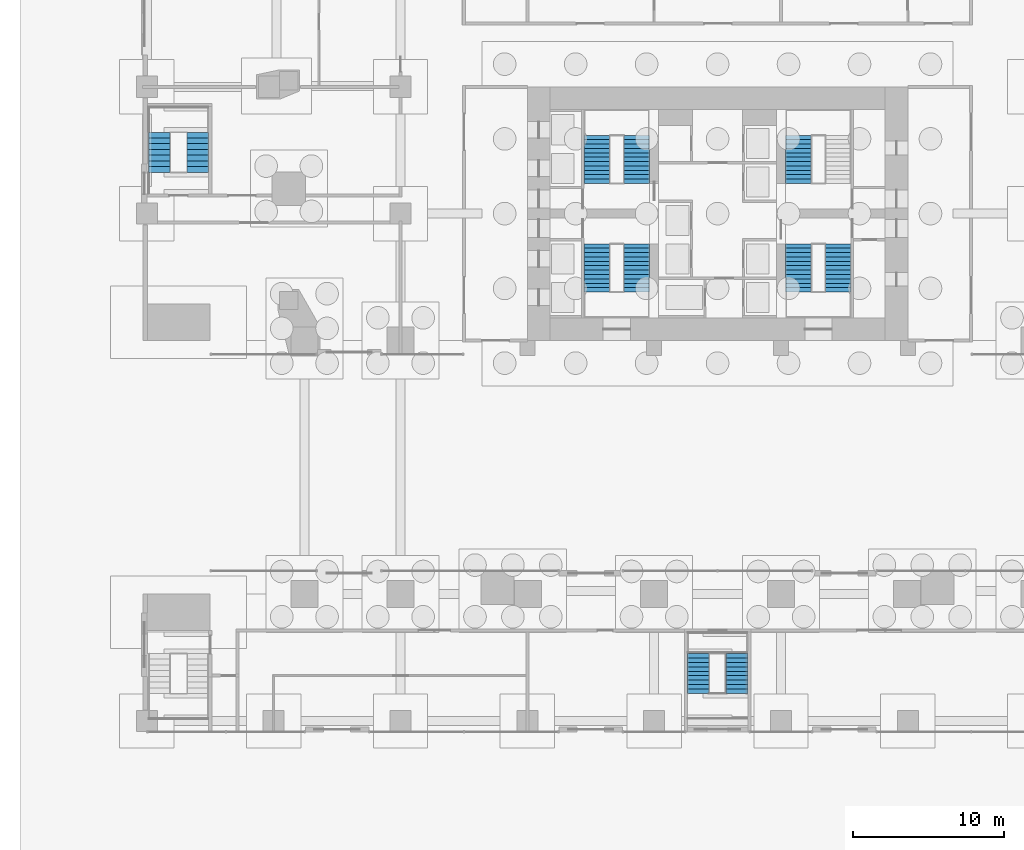
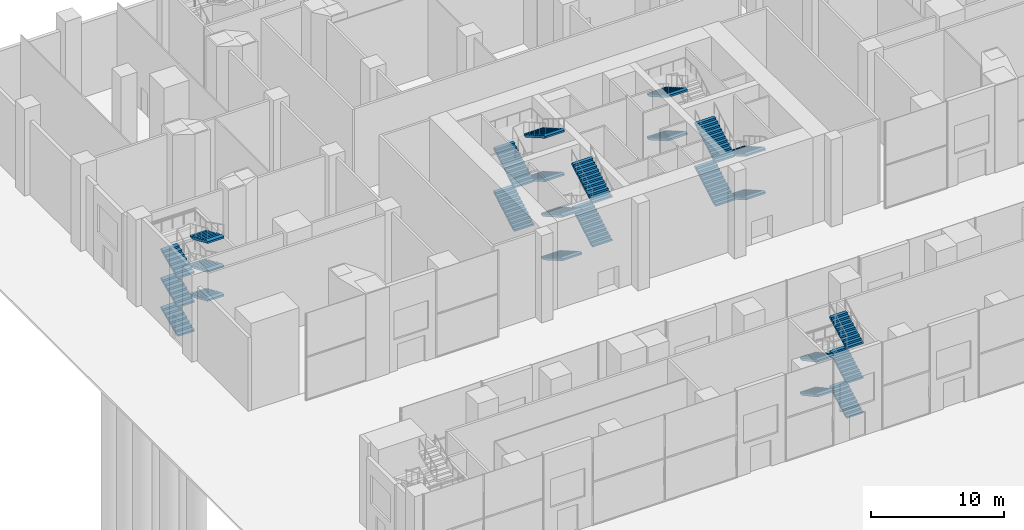
# One storey, part 21 of 31: 25 stair flights, 6 elements without a shape of their own.
"""IFC4 building model written with IfcOpenShell, lengths in metres."""

from ifc_helpers import new_model, si_unit, direction, frame, origin, place, context, subcontext, project, spatial, polyline, outline, extrude, material, type_object, element, aggregate, save


model = new_model("IFC4")

# Units and contexts
model_context = context("Model", 3, precision=1e-05, world=origin(), true_north=direction((0.0, 1.0)))
body_context = subcontext(model_context, "Body", "Model", "MODEL_VIEW")
ifc_project = project(units=[si_unit("LENGTHUNIT", "METRE"), si_unit("AREAUNIT", "SQUARE_METRE"), si_unit("VOLUMEUNIT", "CUBIC_METRE"), si_unit("PLANEANGLEUNIT", "RADIAN"), si_unit("MASSUNIT", "GRAM", prefix="KILO")], contexts=[model_context])

# Site, building, storey
site_placement = place(None, origin())
site = spatial("IfcSite", under=ifc_project, at=site_placement, CompositionType="ELEMENT")
building_placement = place(site_placement, origin())
building = spatial("IfcBuilding", under=site, at=building_placement, Name="Marenta Gate Hotel Tower", CompositionType="ELEMENT")
storey_placement = place(building_placement, origin())
storey = spatial("IfcBuildingStorey", under=building, at=storey_placement, Name="L00", CompositionType="ELEMENT", Elevation=0.0)

# Stair, stair flights
ifc_material_1 = material(Name="Concrete C40", Category="concrete")
stair_type_1 = type_object("IfcStairType", Name="Core exit stair 1700 wide", PredefinedType="HALF_TURN_STAIR", material=ifc_material_1)
stair_1_placement = place(storey_placement, origin())
stair_1 = element("IfcStair", 1, at=stair_1_placement, inside=storey, type_object=stair_type_1, Name="Exit stair 1", PredefinedType="HALF_TURN_STAIR")
ifc_material_2 = material(Name="Concrete C40", Category="concrete")
stair_flight_type_1 = type_object("IfcStairFlightType", Name="Core stair flight 1700 riser 166.7 going 290", PredefinedType="STRAIGHT", material=ifc_material_2)
stair_flight_1_placement = place(storey_placement, frame((-8.0, 6.39990234375, 0.0), z_axis=(0.0, 0.0, 1.0), x_axis=(0.0, -1.0, 0.0)))
stair_flight_1 = element("IfcStairFlight", 2, at=stair_flight_1_placement, type_object=stair_flight_type_1, Name="ST1 flight 1", NumberOfRisers=12, NumberOfTreads=11, PredefinedType="STRAIGHT", RiserHeight=0.166667, TreadLength=0.29, context=body_context, shape_type="SweptSolid", body=[
    extrude(outline(polyline([(0.0, 0.0), (0.0, 0.166748046875), (0.2900390625, 0.166748046875), (0.2900390625, 0.333251953125), (0.580078125, 0.333251953125), (0.580078125, 0.5), (0.8701171875, 0.5), (0.8701171875, 0.666748046875), (1.159912109375, 0.666748046875), (1.159912109375, 0.833251953125), (1.449951171875, 0.833251953125), (1.449951171875, 1.0), (1.739990234375, 1.0), (1.739990234375, 1.166748046875), (2.030029296875, 1.166748046875), (2.030029296875, 1.333251953125), (2.320068359375, 1.333251953125), (2.320068359375, 1.5), (2.610107421875, 1.5), (2.610107421875, 1.666748046875), (2.89990234375, 1.666748046875), (2.89990234375, 1.833251953125), (3.18994140625, 1.833251953125), (3.18994140625, 2.0), (3.18994140625, 1.660400390625), (0.30078125, 0.0), (0.0, 0.0)])), frame((0.0, 0.85009765625, 0.0), z_axis=(0.0, -1.0, 0.0), x_axis=(1.0, 0.0, 0.0)), (0.0, 0.0, 1.0), 1.699951171875),
])
stair_flight_2_placement = place(storey_placement, frame((-5.35009765625, 3.2099609375, 2.0), z_axis=(0.0, 0.0, 1.0), x_axis=(0.0, 1.0, 0.0)))
stair_flight_2 = element("IfcStairFlight", 3, at=stair_flight_2_placement, type_object=stair_flight_type_1, Name="ST1 flight 2", NumberOfRisers=12, NumberOfTreads=11, PredefinedType="STRAIGHT", RiserHeight=0.166667, TreadLength=0.29, context=body_context, shape_type="SweptSolid", body=[
    extrude(outline(polyline([(0.0, 0.0), (0.0, 0.166748046875), (0.2900390625, 0.166748046875), (0.2900390625, 0.333251953125), (0.580078125, 0.333251953125), (0.580078125, 0.5), (0.8701171875, 0.5), (0.8701171875, 0.666748046875), (1.159912109375, 0.666748046875), (1.159912109375, 0.833251953125), (1.449951171875, 0.833251953125), (1.449951171875, 1.0), (1.739990234375, 1.0), (1.739990234375, 1.166748046875), (2.030029296875, 1.166748046875), (2.030029296875, 1.333251953125), (2.320068359375, 1.333251953125), (2.320068359375, 1.5), (2.610107421875, 1.5), (2.610107421875, 1.666748046875), (2.89990234375, 1.666748046875), (2.89990234375, 1.833251953125), (3.18994140625, 1.833251953125), (3.18994140625, 2.0), (3.18994140625, 1.660400390625), (0.30078125, 0.0), (0.0, 0.0)])), frame((0.0, 0.85009765625, 0.0), z_axis=(0.0, -1.0, 0.0), x_axis=(1.0, 0.0, 0.0)), (0.0, 0.0, 1.0), 1.699951171875),
])
stair_flight_3_placement = place(storey_placement, frame((-8.0, 6.39990234375, 4.0), z_axis=(0.0, 0.0, 1.0), x_axis=(0.0, -1.0, 0.0)))
stair_flight_3 = element("IfcStairFlight", 4, at=stair_flight_3_placement, type_object=stair_flight_type_1, Name="ST1 flight 3", NumberOfRisers=12, NumberOfTreads=11, PredefinedType="STRAIGHT", RiserHeight=0.166667, TreadLength=0.29, context=body_context, shape_type="SweptSolid", body=[
    extrude(outline(polyline([(0.0, 0.0), (0.0, 0.166748046875), (0.2900390625, 0.166748046875), (0.2900390625, 0.333251953125), (0.580078125, 0.333251953125), (0.580078125, 0.5), (0.8701171875, 0.5), (0.8701171875, 0.666748046875), (1.159912109375, 0.666748046875), (1.159912109375, 0.833251953125), (1.449951171875, 0.833251953125), (1.449951171875, 1.0), (1.739990234375, 1.0), (1.739990234375, 1.166748046875), (2.030029296875, 1.166748046875), (2.030029296875, 1.333251953125), (2.320068359375, 1.333251953125), (2.320068359375, 1.5), (2.610107421875, 1.5), (2.610107421875, 1.666748046875), (2.89990234375, 1.666748046875), (2.89990234375, 1.833251953125), (3.18994140625, 1.833251953125), (3.18994140625, 2.0), (3.18994140625, 1.660400390625), (0.30078125, 0.0), (0.0, 0.0)])), frame((0.0, 0.85009765625, 0.0), z_axis=(0.0, -1.0, 0.0), x_axis=(1.0, 0.0, 0.0)), (0.0, 0.0, 1.0), 1.699951171875),
])
stair_flight_4_placement = place(storey_placement, frame((-5.35009765625, 3.2099609375, 6.0), z_axis=(0.0, 0.0, 1.0), x_axis=(0.0, 1.0, 0.0)))
stair_flight_4 = element("IfcStairFlight", 5, at=stair_flight_4_placement, type_object=stair_flight_type_1, Name="ST1 flight 4", NumberOfRisers=12, NumberOfTreads=11, PredefinedType="STRAIGHT", RiserHeight=0.166667, TreadLength=0.29, context=body_context, shape_type="SweptSolid", body=[
    extrude(outline(polyline([(0.0, 0.0), (0.0, 0.166748046875), (0.2900390625, 0.166748046875), (0.2900390625, 0.333251953125), (0.580078125, 0.333251953125), (0.580078125, 0.5), (0.8701171875, 0.5), (0.8701171875, 0.666748046875), (1.159912109375, 0.666748046875), (1.159912109375, 0.833251953125), (1.449951171875, 0.833251953125), (1.449951171875, 1.0), (1.739990234375, 1.0), (1.739990234375, 1.166748046875), (2.030029296875, 1.166748046875), (2.030029296875, 1.333251953125), (2.320068359375, 1.333251953125), (2.320068359375, 1.5), (2.610107421875, 1.5), (2.610107421875, 1.666748046875), (2.89990234375, 1.666748046875), (2.89990234375, 1.833251953125), (3.18994140625, 1.833251953125), (3.18994140625, 2.0), (3.18994140625, 1.660400390625), (0.30078125, 0.0), (0.0, 0.0)])), frame((0.0, 0.85009765625, 0.0), z_axis=(0.0, -1.0, 0.0), x_axis=(1.0, 0.0, 0.0)), (0.0, 0.0, 1.0), 1.699951171875),
])
aggregate(stair_1, [stair_flight_1, stair_flight_2, stair_flight_3, stair_flight_4])

stair_2_placement = place(storey_placement, origin())
stair_2 = element("IfcStair", 6, at=stair_2_placement, inside=storey, type_object=stair_type_1, Name="Exit stair 2", PredefinedType="HALF_TURN_STAIR")
stair_flight_5_placement = place(storey_placement, frame((-8.0, 10.39990234375, 0.0), z_axis=(0.0, 0.0, 1.0), x_axis=(0.0, 1.0, 0.0)))
stair_flight_5 = element("IfcStairFlight", 7, at=stair_flight_5_placement, type_object=stair_flight_type_1, Name="ST2 flight 1", NumberOfRisers=12, NumberOfTreads=11, PredefinedType="STRAIGHT", RiserHeight=0.166667, TreadLength=0.29, context=body_context, shape_type="SweptSolid", body=[
    extrude(outline(polyline([(0.0, 0.0), (0.0, 0.166748046875), (0.2900390625, 0.166748046875), (0.2900390625, 0.333251953125), (0.580078125, 0.333251953125), (0.580078125, 0.5), (0.8701171875, 0.5), (0.8701171875, 0.666748046875), (1.159912109375, 0.666748046875), (1.159912109375, 0.833251953125), (1.449951171875, 0.833251953125), (1.449951171875, 1.0), (1.739990234375, 1.0), (1.739990234375, 1.166748046875), (2.030029296875, 1.166748046875), (2.030029296875, 1.333251953125), (2.320068359375, 1.333251953125), (2.320068359375, 1.5), (2.610107421875, 1.5), (2.610107421875, 1.666748046875), (2.89990234375, 1.666748046875), (2.89990234375, 1.833251953125), (3.18994140625, 1.833251953125), (3.18994140625, 2.0), (3.18994140625, 1.660400390625), (0.30078125, 0.0), (0.0, 0.0)])), frame((0.0, 0.85009765625, 0.0), z_axis=(0.0, -1.0, 0.0), x_axis=(1.0, 0.0, 0.0)), (0.0, 0.0, 1.0), 1.699951171875),
])
stair_flight_6_placement = place(storey_placement, frame((-5.35009765625, 13.590087890625, 2.0), z_axis=(0.0, 0.0, 1.0), x_axis=(0.0, -1.0, 0.0)))
stair_flight_6 = element("IfcStairFlight", 8, at=stair_flight_6_placement, type_object=stair_flight_type_1, Name="ST2 flight 2", NumberOfRisers=12, NumberOfTreads=11, PredefinedType="STRAIGHT", RiserHeight=0.166667, TreadLength=0.29, context=body_context, shape_type="SweptSolid", body=[
    extrude(outline(polyline([(0.0, 0.0), (0.0, 0.166748046875), (0.2900390625, 0.166748046875), (0.2900390625, 0.333251953125), (0.580078125, 0.333251953125), (0.580078125, 0.5), (0.8701171875, 0.5), (0.8701171875, 0.666748046875), (1.159912109375, 0.666748046875), (1.159912109375, 0.833251953125), (1.449951171875, 0.833251953125), (1.449951171875, 1.0), (1.739990234375, 1.0), (1.739990234375, 1.166748046875), (2.030029296875, 1.166748046875), (2.030029296875, 1.333251953125), (2.320068359375, 1.333251953125), (2.320068359375, 1.5), (2.610107421875, 1.5), (2.610107421875, 1.666748046875), (2.89990234375, 1.666748046875), (2.89990234375, 1.833251953125), (3.18994140625, 1.833251953125), (3.18994140625, 2.0), (3.18994140625, 1.660400390625), (0.30078125, 0.0), (0.0, 0.0)])), frame((0.0, 0.85009765625, 0.0), z_axis=(0.0, -1.0, 0.0), x_axis=(1.0, 0.0, 0.0)), (0.0, 0.0, 1.0), 1.699951171875),
])
stair_flight_7_placement = place(storey_placement, frame((-8.0, 10.39990234375, 4.0), z_axis=(0.0, 0.0, 1.0), x_axis=(0.0, 1.0, 0.0)))
stair_flight_7 = element("IfcStairFlight", 9, at=stair_flight_7_placement, type_object=stair_flight_type_1, Name="ST2 flight 3", NumberOfRisers=12, NumberOfTreads=11, PredefinedType="STRAIGHT", RiserHeight=0.166667, TreadLength=0.29, context=body_context, shape_type="SweptSolid", body=[
    extrude(outline(polyline([(0.0, 0.0), (0.0, 0.166748046875), (0.2900390625, 0.166748046875), (0.2900390625, 0.333251953125), (0.580078125, 0.333251953125), (0.580078125, 0.5), (0.8701171875, 0.5), (0.8701171875, 0.666748046875), (1.159912109375, 0.666748046875), (1.159912109375, 0.833251953125), (1.449951171875, 0.833251953125), (1.449951171875, 1.0), (1.739990234375, 1.0), (1.739990234375, 1.166748046875), (2.030029296875, 1.166748046875), (2.030029296875, 1.333251953125), (2.320068359375, 1.333251953125), (2.320068359375, 1.5), (2.610107421875, 1.5), (2.610107421875, 1.666748046875), (2.89990234375, 1.666748046875), (2.89990234375, 1.833251953125), (3.18994140625, 1.833251953125), (3.18994140625, 2.0), (3.18994140625, 1.660400390625), (0.30078125, 0.0), (0.0, 0.0)])), frame((0.0, 0.85009765625, 0.0), z_axis=(0.0, -1.0, 0.0), x_axis=(1.0, 0.0, 0.0)), (0.0, 0.0, 1.0), 1.699951171875),
])
stair_flight_8_placement = place(storey_placement, frame((-5.35009765625, 13.590087890625, 6.0), z_axis=(0.0, 0.0, 1.0), x_axis=(0.0, -1.0, 0.0)))
stair_flight_8 = element("IfcStairFlight", 10, at=stair_flight_8_placement, type_object=stair_flight_type_1, Name="ST2 flight 4", NumberOfRisers=12, NumberOfTreads=11, PredefinedType="STRAIGHT", RiserHeight=0.166667, TreadLength=0.29, context=body_context, shape_type="SweptSolid", body=[
    extrude(outline(polyline([(0.0, 0.0), (0.0, 0.166748046875), (0.2900390625, 0.166748046875), (0.2900390625, 0.333251953125), (0.580078125, 0.333251953125), (0.580078125, 0.5), (0.8701171875, 0.5), (0.8701171875, 0.666748046875), (1.159912109375, 0.666748046875), (1.159912109375, 0.833251953125), (1.449951171875, 0.833251953125), (1.449951171875, 1.0), (1.739990234375, 1.0), (1.739990234375, 1.166748046875), (2.030029296875, 1.166748046875), (2.030029296875, 1.333251953125), (2.320068359375, 1.333251953125), (2.320068359375, 1.5), (2.610107421875, 1.5), (2.610107421875, 1.666748046875), (2.89990234375, 1.666748046875), (2.89990234375, 1.833251953125), (3.18994140625, 1.833251953125), (3.18994140625, 2.0), (3.18994140625, 1.660400390625), (0.30078125, 0.0), (0.0, 0.0)])), frame((0.0, 0.85009765625, 0.0), z_axis=(0.0, -1.0, 0.0), x_axis=(1.0, 0.0, 0.0)), (0.0, 0.0, 1.0), 1.699951171875),
])
aggregate(stair_2, [stair_flight_5, stair_flight_6, stair_flight_7, stair_flight_8])

stair_3_placement = place(storey_placement, origin())
stair_3 = element("IfcStair", 11, at=stair_3_placement, inside=storey, type_object=stair_type_1, Name="Exit stair 3", PredefinedType="HALF_TURN_STAIR")
stair_flight_9_placement = place(storey_placement, frame((8.0, 6.39990234375, 0.0), z_axis=(0.0, 0.0, 1.0), x_axis=(0.0, -1.0, 0.0)))
stair_flight_9 = element("IfcStairFlight", 12, at=stair_flight_9_placement, type_object=stair_flight_type_1, Name="ST3 flight 1", NumberOfRisers=12, NumberOfTreads=11, PredefinedType="STRAIGHT", RiserHeight=0.166667, TreadLength=0.29, context=body_context, shape_type="SweptSolid", body=[
    extrude(outline(polyline([(0.0, 0.0), (0.0, 0.166748046875), (0.2900390625, 0.166748046875), (0.2900390625, 0.333251953125), (0.580078125, 0.333251953125), (0.580078125, 0.5), (0.8701171875, 0.5), (0.8701171875, 0.666748046875), (1.159912109375, 0.666748046875), (1.159912109375, 0.833251953125), (1.449951171875, 0.833251953125), (1.449951171875, 1.0), (1.739990234375, 1.0), (1.739990234375, 1.166748046875), (2.030029296875, 1.166748046875), (2.030029296875, 1.333251953125), (2.320068359375, 1.333251953125), (2.320068359375, 1.5), (2.610107421875, 1.5), (2.610107421875, 1.666748046875), (2.89990234375, 1.666748046875), (2.89990234375, 1.833251953125), (3.18994140625, 1.833251953125), (3.18994140625, 2.0), (3.18994140625, 1.660400390625), (0.30078125, 0.0), (0.0, 0.0)])), frame((0.0, 0.85009765625, 0.0), z_axis=(0.0, -1.0, 0.0), x_axis=(1.0, 0.0, 0.0)), (0.0, 0.0, 1.0), 1.699951171875),
])
stair_flight_10_placement = place(storey_placement, frame((5.35009765625, 3.2099609375, 2.0), z_axis=(0.0, 0.0, 1.0), x_axis=(0.0, 1.0, 0.0)))
stair_flight_10 = element("IfcStairFlight", 13, at=stair_flight_10_placement, type_object=stair_flight_type_1, Name="ST3 flight 2", NumberOfRisers=12, NumberOfTreads=11, PredefinedType="STRAIGHT", RiserHeight=0.166667, TreadLength=0.29, context=body_context, shape_type="SweptSolid", body=[
    extrude(outline(polyline([(0.0, 0.0), (0.0, 0.166748046875), (0.2900390625, 0.166748046875), (0.2900390625, 0.333251953125), (0.580078125, 0.333251953125), (0.580078125, 0.5), (0.8701171875, 0.5), (0.8701171875, 0.666748046875), (1.159912109375, 0.666748046875), (1.159912109375, 0.833251953125), (1.449951171875, 0.833251953125), (1.449951171875, 1.0), (1.739990234375, 1.0), (1.739990234375, 1.166748046875), (2.030029296875, 1.166748046875), (2.030029296875, 1.333251953125), (2.320068359375, 1.333251953125), (2.320068359375, 1.5), (2.610107421875, 1.5), (2.610107421875, 1.666748046875), (2.89990234375, 1.666748046875), (2.89990234375, 1.833251953125), (3.18994140625, 1.833251953125), (3.18994140625, 2.0), (3.18994140625, 1.660400390625), (0.30078125, 0.0), (0.0, 0.0)])), frame((0.0, 0.85009765625, 0.0), z_axis=(0.0, -1.0, 0.0), x_axis=(1.0, 0.0, 0.0)), (0.0, 0.0, 1.0), 1.699951171875),
])
stair_flight_11_placement = place(storey_placement, frame((8.0, 6.39990234375, 4.0), z_axis=(0.0, 0.0, 1.0), x_axis=(0.0, -1.0, 0.0)))
stair_flight_11 = element("IfcStairFlight", 14, at=stair_flight_11_placement, type_object=stair_flight_type_1, Name="ST3 flight 3", NumberOfRisers=12, NumberOfTreads=11, PredefinedType="STRAIGHT", RiserHeight=0.166667, TreadLength=0.29, context=body_context, shape_type="SweptSolid", body=[
    extrude(outline(polyline([(0.0, 0.0), (0.0, 0.166748046875), (0.2900390625, 0.166748046875), (0.2900390625, 0.333251953125), (0.580078125, 0.333251953125), (0.580078125, 0.5), (0.8701171875, 0.5), (0.8701171875, 0.666748046875), (1.159912109375, 0.666748046875), (1.159912109375, 0.833251953125), (1.449951171875, 0.833251953125), (1.449951171875, 1.0), (1.739990234375, 1.0), (1.739990234375, 1.166748046875), (2.030029296875, 1.166748046875), (2.030029296875, 1.333251953125), (2.320068359375, 1.333251953125), (2.320068359375, 1.5), (2.610107421875, 1.5), (2.610107421875, 1.666748046875), (2.89990234375, 1.666748046875), (2.89990234375, 1.833251953125), (3.18994140625, 1.833251953125), (3.18994140625, 2.0), (3.18994140625, 1.660400390625), (0.30078125, 0.0), (0.0, 0.0)])), frame((0.0, 0.85009765625, 0.0), z_axis=(0.0, -1.0, 0.0), x_axis=(1.0, 0.0, 0.0)), (0.0, 0.0, 1.0), 1.699951171875),
])
stair_flight_12_placement = place(storey_placement, frame((5.35009765625, 3.2099609375, 6.0), z_axis=(0.0, 0.0, 1.0), x_axis=(0.0, 1.0, 0.0)))
stair_flight_12 = element("IfcStairFlight", 15, at=stair_flight_12_placement, type_object=stair_flight_type_1, Name="ST3 flight 4", NumberOfRisers=12, NumberOfTreads=11, PredefinedType="STRAIGHT", RiserHeight=0.166667, TreadLength=0.29, context=body_context, shape_type="SweptSolid", body=[
    extrude(outline(polyline([(0.0, 0.0), (0.0, 0.166748046875), (0.2900390625, 0.166748046875), (0.2900390625, 0.333251953125), (0.580078125, 0.333251953125), (0.580078125, 0.5), (0.8701171875, 0.5), (0.8701171875, 0.666748046875), (1.159912109375, 0.666748046875), (1.159912109375, 0.833251953125), (1.449951171875, 0.833251953125), (1.449951171875, 1.0), (1.739990234375, 1.0), (1.739990234375, 1.166748046875), (2.030029296875, 1.166748046875), (2.030029296875, 1.333251953125), (2.320068359375, 1.333251953125), (2.320068359375, 1.5), (2.610107421875, 1.5), (2.610107421875, 1.666748046875), (2.89990234375, 1.666748046875), (2.89990234375, 1.833251953125), (3.18994140625, 1.833251953125), (3.18994140625, 2.0), (3.18994140625, 1.660400390625), (0.30078125, 0.0), (0.0, 0.0)])), frame((0.0, 0.85009765625, 0.0), z_axis=(0.0, -1.0, 0.0), x_axis=(1.0, 0.0, 0.0)), (0.0, 0.0, 1.0), 1.699951171875),
])
aggregate(stair_3, [stair_flight_9, stair_flight_10, stair_flight_11, stair_flight_12])

stair_4_placement = place(storey_placement, origin())
stair_4 = element("IfcStair", 16, at=stair_4_placement, inside=storey, type_object=stair_type_1, Name="Exit stair 4", PredefinedType="HALF_TURN_STAIR")
stair_flight_13_placement = place(storey_placement, frame((5.35009765625, 13.590087890625, 2.0), z_axis=(0.0, 0.0, 1.0), x_axis=(0.0, -1.0, 0.0)))
stair_flight_13 = element("IfcStairFlight", 17, at=stair_flight_13_placement, type_object=stair_flight_type_1, Name="ST4 flight 2", NumberOfRisers=12, NumberOfTreads=11, PredefinedType="STRAIGHT", RiserHeight=0.166667, TreadLength=0.29, context=body_context, shape_type="SweptSolid", body=[
    extrude(outline(polyline([(0.0, 0.0), (0.0, 0.166748046875), (0.2900390625, 0.166748046875), (0.2900390625, 0.333251953125), (0.580078125, 0.333251953125), (0.580078125, 0.5), (0.8701171875, 0.5), (0.8701171875, 0.666748046875), (1.159912109375, 0.666748046875), (1.159912109375, 0.833251953125), (1.449951171875, 0.833251953125), (1.449951171875, 1.0), (1.739990234375, 1.0), (1.739990234375, 1.166748046875), (2.030029296875, 1.166748046875), (2.030029296875, 1.333251953125), (2.320068359375, 1.333251953125), (2.320068359375, 1.5), (2.610107421875, 1.5), (2.610107421875, 1.666748046875), (2.89990234375, 1.666748046875), (2.89990234375, 1.833251953125), (3.18994140625, 1.833251953125), (3.18994140625, 2.0), (3.18994140625, 1.660400390625), (0.30078125, 0.0), (0.0, 0.0)])), frame((0.0, 0.85009765625, 0.0), z_axis=(0.0, -1.0, 0.0), x_axis=(1.0, 0.0, 0.0)), (0.0, 0.0, 1.0), 1.699951171875),
])
stair_flight_14_placement = place(storey_placement, frame((5.35009765625, 13.590087890625, 6.0), z_axis=(0.0, 0.0, 1.0), x_axis=(0.0, -1.0, 0.0)))
stair_flight_14 = element("IfcStairFlight", 18, at=stair_flight_14_placement, type_object=stair_flight_type_1, Name="ST4 flight 4", NumberOfRisers=12, NumberOfTreads=11, PredefinedType="STRAIGHT", RiserHeight=0.166667, TreadLength=0.29, context=body_context, shape_type="SweptSolid", body=[
    extrude(outline(polyline([(0.0, 0.0), (0.0, 0.166748046875), (0.2900390625, 0.166748046875), (0.2900390625, 0.333251953125), (0.580078125, 0.333251953125), (0.580078125, 0.5), (0.8701171875, 0.5), (0.8701171875, 0.666748046875), (1.159912109375, 0.666748046875), (1.159912109375, 0.833251953125), (1.449951171875, 0.833251953125), (1.449951171875, 1.0), (1.739990234375, 1.0), (1.739990234375, 1.166748046875), (2.030029296875, 1.166748046875), (2.030029296875, 1.333251953125), (2.320068359375, 1.333251953125), (2.320068359375, 1.5), (2.610107421875, 1.5), (2.610107421875, 1.666748046875), (2.89990234375, 1.666748046875), (2.89990234375, 1.833251953125), (3.18994140625, 1.833251953125), (3.18994140625, 2.0), (3.18994140625, 1.660400390625), (0.30078125, 0.0), (0.0, 0.0)])), frame((0.0, 0.85009765625, 0.0), z_axis=(0.0, -1.0, 0.0), x_axis=(1.0, 0.0, 0.0)), (0.0, 0.0, 1.0), 1.699951171875),
])
aggregate(stair_4, [stair_flight_13, stair_flight_14])

ifc_material_3 = material(Name="Concrete C40", Category="concrete")
stair_type_2 = type_object("IfcStairType", Name="Podium exit stair 1430 wide", PredefinedType="HALF_TURN_STAIR", material=ifc_material_3)
stair_5_placement = place(storey_placement, origin())
stair_5 = element("IfcStair", 19, at=stair_5_placement, inside=storey, type_object=stair_type_2, Name="Podium exit stair 5", PredefinedType="HALF_TURN_STAIR")
ifc_material_4 = material(Name="Concrete C40", Category="concrete")
stair_flight_type_2 = type_object("IfcStairFlightType", Name="Podium stair flight 1430 riser 160.0 going 295", PredefinedType="STRAIGHT", material=ifc_material_4)
stair_flight_15_placement = place(storey_placement, frame((1.284912109375, -23.385009765625, 0.0), z_axis=(0.0, 0.0, 1.0), x_axis=(0.0, 1.0, 0.0)))
stair_flight_15 = element("IfcStairFlight", 20, at=stair_flight_15_placement, type_object=stair_flight_type_2, Name="PX5 flight 1", NumberOfRisers=10, NumberOfTreads=9, PredefinedType="STRAIGHT", RiserHeight=0.16, TreadLength=0.295, context=body_context, shape_type="SweptSolid", body=[
    extrude(outline(polyline([(0.0, 0.0), (0.0, 0.159912109375), (0.294921875, 0.159912109375), (0.294921875, 0.320068359375), (0.590087890625, 0.320068359375), (0.590087890625, 0.47998046875), (0.885009765625, 0.47998046875), (0.885009765625, 0.639892578125), (1.179931640625, 0.639892578125), (1.179931640625, 0.800048828125), (1.47509765625, 0.800048828125), (1.47509765625, 0.9599609375), (1.77001953125, 0.9599609375), (1.77001953125, 1.1201171875), (2.06494140625, 1.1201171875), (2.06494140625, 1.280029296875), (2.360107421875, 1.280029296875), (2.360107421875, 1.43994140625), (2.655029296875, 1.43994140625), (2.655029296875, 1.60009765625), (2.655029296875, 1.26953125), (0.314453125, 0.0), (0.0, 0.0)])), frame((0.0, 0.71484375, 0.0), z_axis=(0.0, -1.0, 0.0), x_axis=(1.0, 0.0, 0.0)), (0.0, 0.0, 1.0), 1.429931640625),
])
stair_flight_16_placement = place(storey_placement, frame((-1.284912109375, -20.72998046875, 1.60009765625), z_axis=(0.0, 0.0, 1.0), x_axis=(0.0, -1.0, 0.0)))
stair_flight_16 = element("IfcStairFlight", 21, at=stair_flight_16_placement, type_object=stair_flight_type_2, Name="PX5 flight 2", NumberOfRisers=10, NumberOfTreads=9, PredefinedType="STRAIGHT", RiserHeight=0.16, TreadLength=0.295, context=body_context, shape_type="SweptSolid", body=[
    extrude(outline(polyline([(0.0, 0.0), (0.0, 0.159912109375), (0.294921875, 0.159912109375), (0.294921875, 0.320068359375), (0.590087890625, 0.320068359375), (0.590087890625, 0.47998046875), (0.885009765625, 0.47998046875), (0.885009765625, 0.639892578125), (1.179931640625, 0.639892578125), (1.179931640625, 0.800048828125), (1.47509765625, 0.800048828125), (1.47509765625, 0.9599609375), (1.77001953125, 0.9599609375), (1.77001953125, 1.1201171875), (2.06494140625, 1.1201171875), (2.06494140625, 1.280029296875), (2.360107421875, 1.280029296875), (2.360107421875, 1.43994140625), (2.655029296875, 1.43994140625), (2.655029296875, 1.60009765625), (2.655029296875, 1.26953125), (0.314453125, 0.0), (0.0, 0.0)])), frame((0.0, 0.71484375, 0.0), z_axis=(0.0, -1.0, 0.0), x_axis=(1.0, 0.0, 0.0)), (0.0, 0.0, 1.0), 1.429931640625),
])
stair_flight_17_placement = place(storey_placement, frame((1.284912109375, -23.385009765625, 3.199951171875), z_axis=(0.0, 0.0, 1.0), x_axis=(0.0, 1.0, 0.0)))
stair_flight_17 = element("IfcStairFlight", 22, at=stair_flight_17_placement, type_object=stair_flight_type_2, Name="PX5 flight 3", NumberOfRisers=10, NumberOfTreads=9, PredefinedType="STRAIGHT", RiserHeight=0.16, TreadLength=0.295, context=body_context, shape_type="SweptSolid", body=[
    extrude(outline(polyline([(0.0, 0.0), (0.0, 0.159912109375), (0.294921875, 0.159912109375), (0.294921875, 0.320068359375), (0.590087890625, 0.320068359375), (0.590087890625, 0.47998046875), (0.885009765625, 0.47998046875), (0.885009765625, 0.639892578125), (1.179931640625, 0.639892578125), (1.179931640625, 0.800048828125), (1.47509765625, 0.800048828125), (1.47509765625, 0.9599609375), (1.77001953125, 0.9599609375), (1.77001953125, 1.1201171875), (2.06494140625, 1.1201171875), (2.06494140625, 1.280029296875), (2.360107421875, 1.280029296875), (2.360107421875, 1.43994140625), (2.655029296875, 1.43994140625), (2.655029296875, 1.60009765625), (2.655029296875, 1.26953125), (0.314453125, 0.0), (0.0, 0.0)])), frame((0.0, 0.71484375, 0.0), z_axis=(0.0, -1.0, 0.0), x_axis=(1.0, 0.0, 0.0)), (0.0, 0.0, 1.0), 1.429931640625),
])
stair_flight_18_placement = place(storey_placement, frame((-1.284912109375, -20.72998046875, 4.800048828125), z_axis=(0.0, 0.0, 1.0), x_axis=(0.0, -1.0, 0.0)))
stair_flight_18 = element("IfcStairFlight", 23, at=stair_flight_18_placement, type_object=stair_flight_type_2, Name="PX5 flight 4", NumberOfRisers=10, NumberOfTreads=9, PredefinedType="STRAIGHT", RiserHeight=0.16, TreadLength=0.295, context=body_context, shape_type="SweptSolid", body=[
    extrude(outline(polyline([(0.0, 0.0), (0.0, 0.159912109375), (0.294921875, 0.159912109375), (0.294921875, 0.320068359375), (0.590087890625, 0.320068359375), (0.590087890625, 0.47998046875), (0.885009765625, 0.47998046875), (0.885009765625, 0.639892578125), (1.179931640625, 0.639892578125), (1.179931640625, 0.800048828125), (1.47509765625, 0.800048828125), (1.47509765625, 0.9599609375), (1.77001953125, 0.9599609375), (1.77001953125, 1.1201171875), (2.06494140625, 1.1201171875), (2.06494140625, 1.280029296875), (2.360107421875, 1.280029296875), (2.360107421875, 1.43994140625), (2.655029296875, 1.43994140625), (2.655029296875, 1.60009765625), (2.655029296875, 1.26953125), (0.314453125, 0.0), (0.0, 0.0)])), frame((0.0, 0.71484375, 0.0), z_axis=(0.0, -1.0, 0.0), x_axis=(1.0, 0.0, 0.0)), (0.0, 0.0, 1.0), 1.429931640625),
])
stair_flight_19_placement = place(storey_placement, frame((1.284912109375, -23.385009765625, 6.39990234375), z_axis=(0.0, 0.0, 1.0), x_axis=(0.0, 1.0, 0.0)))
stair_flight_19 = element("IfcStairFlight", 24, at=stair_flight_19_placement, type_object=stair_flight_type_2, Name="PX5 flight 5", NumberOfRisers=10, NumberOfTreads=9, PredefinedType="STRAIGHT", RiserHeight=0.16, TreadLength=0.295, context=body_context, shape_type="SweptSolid", body=[
    extrude(outline(polyline([(0.0, 0.0), (0.0, 0.159912109375), (0.294921875, 0.159912109375), (0.294921875, 0.320068359375), (0.590087890625, 0.320068359375), (0.590087890625, 0.47998046875), (0.885009765625, 0.47998046875), (0.885009765625, 0.639892578125), (1.179931640625, 0.639892578125), (1.179931640625, 0.800048828125), (1.47509765625, 0.800048828125), (1.47509765625, 0.9599609375), (1.77001953125, 0.9599609375), (1.77001953125, 1.1201171875), (2.06494140625, 1.1201171875), (2.06494140625, 1.280029296875), (2.360107421875, 1.280029296875), (2.360107421875, 1.43994140625), (2.655029296875, 1.43994140625), (2.655029296875, 1.60009765625), (2.655029296875, 1.26953125), (0.314453125, 0.0), (0.0, 0.0)])), frame((0.0, 0.71484375, 0.0), z_axis=(0.0, -1.0, 0.0), x_axis=(1.0, 0.0, 0.0)), (0.0, 0.0, 1.0), 1.429931640625),
])
aggregate(stair_5, [stair_flight_15, stair_flight_16, stair_flight_17, stair_flight_18, stair_flight_19])

stair_6_placement = place(storey_placement, origin())
stair_6 = element("IfcStair", 25, at=stair_6_placement, inside=storey, type_object=stair_type_2, Name="Podium exit stair 6", PredefinedType="HALF_TURN_STAIR")
ifc_material_5 = material(Name="Concrete C40", Category="concrete")
stair_flight_type_3 = type_object("IfcStairFlightType", Name="Podium stair flight 1430 riser 166.7 going 380", PredefinedType="STRAIGHT", material=ifc_material_5)
stair_flight_20_placement = place(storey_placement, frame((-36.985107421875, 11.1298828125, 0.0), z_axis=(0.0, 0.0, 1.0), x_axis=(0.0, 1.0, 0.0)))
stair_flight_20 = element("IfcStairFlight", 26, at=stair_flight_20_placement, type_object=stair_flight_type_3, Name="PX6 flight 1", NumberOfRisers=8, NumberOfTreads=7, PredefinedType="STRAIGHT", RiserHeight=0.166667, TreadLength=0.38, context=body_context, shape_type="SweptSolid", body=[
    extrude(outline(polyline([(0.0, 0.0), (0.0, 0.166748046875), (0.3798828125, 0.166748046875), (0.3798828125, 0.333251953125), (0.760009765625, 0.333251953125), (0.760009765625, 0.5), (1.139892578125, 0.5), (1.139892578125, 0.666748046875), (1.52001953125, 0.666748046875), (1.52001953125, 0.833251953125), (1.89990234375, 0.833251953125), (1.89990234375, 1.0), (2.280029296875, 1.0), (2.280029296875, 1.166748046875), (2.659912109375, 1.166748046875), (2.659912109375, 1.333251953125), (2.659912109375, 1.0029296875), (0.373291015625, 0.0), (0.0, 0.0)])), frame((0.0, 0.71484375, 0.0), z_axis=(0.0, -1.0, 0.0), x_axis=(1.0, 0.0, 0.0)), (0.0, 0.0, 1.0), 1.429931640625),
])
stair_flight_21_placement = place(storey_placement, frame((-34.4150390625, 13.7900390625, 1.333251953125), z_axis=(0.0, 0.0, 1.0), x_axis=(0.0, -1.0, 0.0)))
stair_flight_21 = element("IfcStairFlight", 27, at=stair_flight_21_placement, type_object=stair_flight_type_3, Name="PX6 flight 2", NumberOfRisers=8, NumberOfTreads=7, PredefinedType="STRAIGHT", RiserHeight=0.166667, TreadLength=0.38, context=body_context, shape_type="SweptSolid", body=[
    extrude(outline(polyline([(0.0, 0.0), (0.0, 0.166748046875), (0.3798828125, 0.166748046875), (0.3798828125, 0.333251953125), (0.760009765625, 0.333251953125), (0.760009765625, 0.5), (1.139892578125, 0.5), (1.139892578125, 0.666748046875), (1.52001953125, 0.666748046875), (1.52001953125, 0.833251953125), (1.89990234375, 0.833251953125), (1.89990234375, 1.0), (2.280029296875, 1.0), (2.280029296875, 1.166748046875), (2.659912109375, 1.166748046875), (2.659912109375, 1.333251953125), (2.659912109375, 1.0029296875), (0.373291015625, 0.0), (0.0, 0.0)])), frame((0.0, 0.71484375, 0.0), z_axis=(0.0, -1.0, 0.0), x_axis=(1.0, 0.0, 0.0)), (0.0, 0.0, 1.0), 1.429931640625),
])
stair_flight_22_placement = place(storey_placement, frame((-36.985107421875, 11.1298828125, 2.666748046875), z_axis=(0.0, 0.0, 1.0), x_axis=(0.0, 1.0, 0.0)))
stair_flight_22 = element("IfcStairFlight", 28, at=stair_flight_22_placement, type_object=stair_flight_type_3, Name="PX6 flight 3", NumberOfRisers=8, NumberOfTreads=7, PredefinedType="STRAIGHT", RiserHeight=0.166667, TreadLength=0.38, context=body_context, shape_type="SweptSolid", body=[
    extrude(outline(polyline([(0.0, 0.0), (0.0, 0.166748046875), (0.3798828125, 0.166748046875), (0.3798828125, 0.333251953125), (0.760009765625, 0.333251953125), (0.760009765625, 0.5), (1.139892578125, 0.5), (1.139892578125, 0.666748046875), (1.52001953125, 0.666748046875), (1.52001953125, 0.833251953125), (1.89990234375, 0.833251953125), (1.89990234375, 1.0), (2.280029296875, 1.0), (2.280029296875, 1.166748046875), (2.659912109375, 1.166748046875), (2.659912109375, 1.333251953125), (2.659912109375, 1.0029296875), (0.373291015625, 0.0), (0.0, 0.0)])), frame((0.0, 0.71484375, 0.0), z_axis=(0.0, -1.0, 0.0), x_axis=(1.0, 0.0, 0.0)), (0.0, 0.0, 1.0), 1.429931640625),
])
stair_flight_23_placement = place(storey_placement, frame((-34.4150390625, 13.7900390625, 4.0), z_axis=(0.0, 0.0, 1.0), x_axis=(0.0, -1.0, 0.0)))
stair_flight_23 = element("IfcStairFlight", 29, at=stair_flight_23_placement, type_object=stair_flight_type_3, Name="PX6 flight 4", NumberOfRisers=8, NumberOfTreads=7, PredefinedType="STRAIGHT", RiserHeight=0.166667, TreadLength=0.38, context=body_context, shape_type="SweptSolid", body=[
    extrude(outline(polyline([(0.0, 0.0), (0.0, 0.166748046875), (0.3798828125, 0.166748046875), (0.3798828125, 0.333251953125), (0.760009765625, 0.333251953125), (0.760009765625, 0.5), (1.139892578125, 0.5), (1.139892578125, 0.666748046875), (1.52001953125, 0.666748046875), (1.52001953125, 0.833251953125), (1.89990234375, 0.833251953125), (1.89990234375, 1.0), (2.280029296875, 1.0), (2.280029296875, 1.166748046875), (2.659912109375, 1.166748046875), (2.659912109375, 1.333251953125), (2.659912109375, 1.0029296875), (0.373291015625, 0.0), (0.0, 0.0)])), frame((0.0, 0.71484375, 0.0), z_axis=(0.0, -1.0, 0.0), x_axis=(1.0, 0.0, 0.0)), (0.0, 0.0, 1.0), 1.429931640625),
])
stair_flight_24_placement = place(storey_placement, frame((-36.985107421875, 11.1298828125, 5.333251953125), z_axis=(0.0, 0.0, 1.0), x_axis=(0.0, 1.0, 0.0)))
stair_flight_24 = element("IfcStairFlight", 30, at=stair_flight_24_placement, type_object=stair_flight_type_3, Name="PX6 flight 5", NumberOfRisers=8, NumberOfTreads=7, PredefinedType="STRAIGHT", RiserHeight=0.166667, TreadLength=0.38, context=body_context, shape_type="SweptSolid", body=[
    extrude(outline(polyline([(0.0, 0.0), (0.0, 0.166748046875), (0.3798828125, 0.166748046875), (0.3798828125, 0.333251953125), (0.760009765625, 0.333251953125), (0.760009765625, 0.5), (1.139892578125, 0.5), (1.139892578125, 0.666748046875), (1.52001953125, 0.666748046875), (1.52001953125, 0.833251953125), (1.89990234375, 0.833251953125), (1.89990234375, 1.0), (2.280029296875, 1.0), (2.280029296875, 1.166748046875), (2.659912109375, 1.166748046875), (2.659912109375, 1.333251953125), (2.659912109375, 1.0029296875), (0.373291015625, 0.0), (0.0, 0.0)])), frame((0.0, 0.71484375, 0.0), z_axis=(0.0, -1.0, 0.0), x_axis=(1.0, 0.0, 0.0)), (0.0, 0.0, 1.0), 1.429931640625),
])
stair_flight_25_placement = place(storey_placement, frame((-34.4150390625, 13.7900390625, 6.666748046875), z_axis=(0.0, 0.0, 1.0), x_axis=(0.0, -1.0, 0.0)))
stair_flight_25 = element("IfcStairFlight", 31, at=stair_flight_25_placement, type_object=stair_flight_type_3, Name="PX6 flight 6", NumberOfRisers=8, NumberOfTreads=7, PredefinedType="STRAIGHT", RiserHeight=0.166667, TreadLength=0.38, context=body_context, shape_type="SweptSolid", body=[
    extrude(outline(polyline([(0.0, 0.0), (0.0, 0.166748046875), (0.3798828125, 0.166748046875), (0.3798828125, 0.333251953125), (0.760009765625, 0.333251953125), (0.760009765625, 0.5), (1.139892578125, 0.5), (1.139892578125, 0.666748046875), (1.52001953125, 0.666748046875), (1.52001953125, 0.833251953125), (1.89990234375, 0.833251953125), (1.89990234375, 1.0), (2.280029296875, 1.0), (2.280029296875, 1.166748046875), (2.659912109375, 1.166748046875), (2.659912109375, 1.333251953125), (2.659912109375, 1.0029296875), (0.373291015625, 0.0), (0.0, 0.0)])), frame((0.0, 0.71484375, 0.0), z_axis=(0.0, -1.0, 0.0), x_axis=(1.0, 0.0, 0.0)), (0.0, 0.0, 1.0), 1.429931640625),
])
aggregate(stair_6, [stair_flight_20, stair_flight_21, stair_flight_22, stair_flight_23, stair_flight_24, stair_flight_25])

save(model, "model.ifc")
